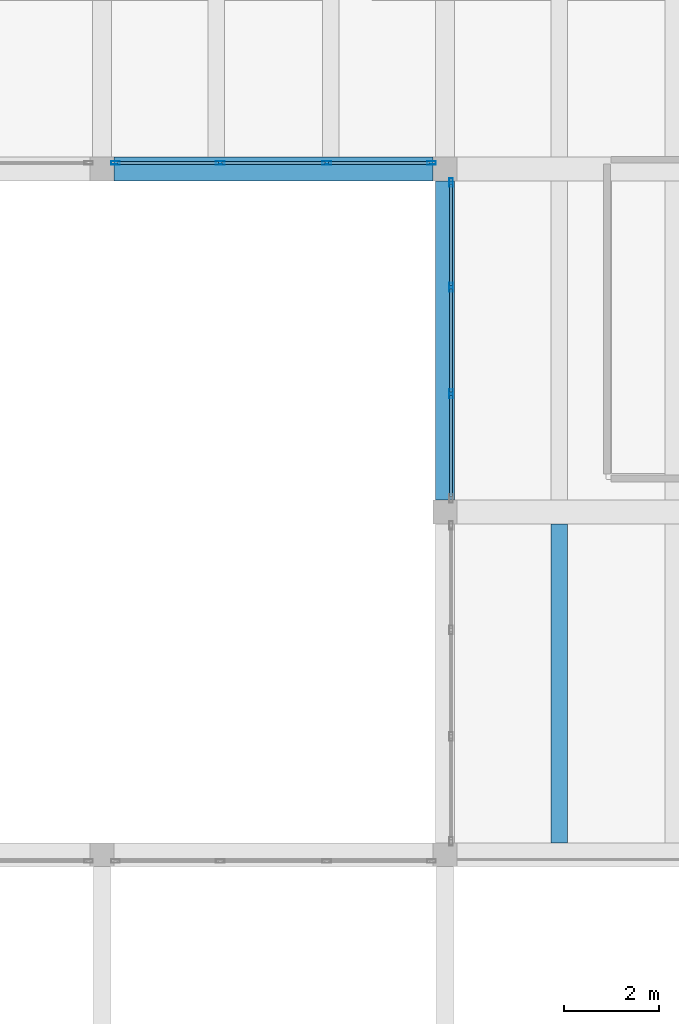
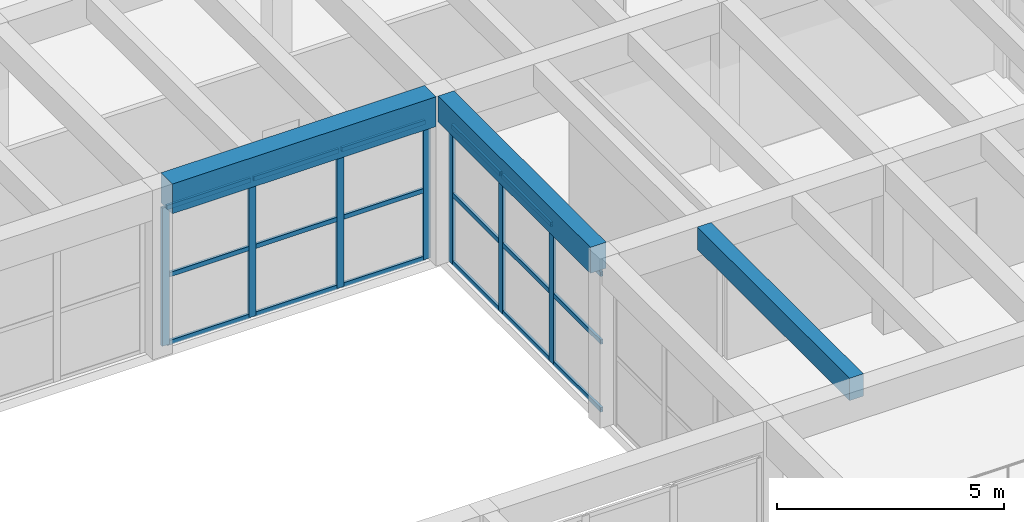
# One storey, part 42 of 153: 25 members, 3 beams, 2 elements without a shape of their own.
"""IFC4 building model written with IfcOpenShell, lengths in metres."""

from ifc_helpers import new_model, si_unit, direction, frame, origin, origin_2d, place, context, subcontext, project, spatial, rectangle, hollow_rectangle, extrude, material, material_profile, profile_set, type_object, element, aggregate, save


model = new_model("IFC4")

# Units and contexts
model_context = context("Model", 3, precision=1e-05, world=origin(), true_north=direction((0.0, 1.0)))
body_context = subcontext(model_context, "Body", "Model", "MODEL_VIEW")
ifc_project = project(units=[si_unit("LENGTHUNIT", "METRE"), si_unit("AREAUNIT", "SQUARE_METRE"), si_unit("VOLUMEUNIT", "CUBIC_METRE"), si_unit("PLANEANGLEUNIT", "RADIAN"), si_unit("MASSUNIT", "GRAM", prefix="KILO")], contexts=[model_context])

# Site, building, storey
site_placement = place(None, origin())
site = spatial("IfcSite", under=ifc_project, at=site_placement, CompositionType="ELEMENT")
building_placement = place(site_placement, origin())
building = spatial("IfcBuilding", under=site, at=building_placement, Name="Bramvelor Terrace Health Centre", CompositionType="ELEMENT")
storey_placement = place(building_placement, frame((0.0, 0.0, 4.800048828125)))
storey = spatial("IfcBuildingStorey", under=building, at=storey_placement, Name="L02", CompositionType="ELEMENT", Elevation=4.800048828125)

# Beams
ifc_material_1 = material(Name="Concrete C40/50", Category="concrete")
ifc_material_profile_1 = material_profile(ifc_material_1, rectangle(XDim=0.39990234375, YDim=0.699951171875, at=origin_2d()), Name="RC 400x700")
ifc_profile_set_1 = profile_set([ifc_material_profile_1], Name="Concrete C40/50")
beam_type_1 = type_object("IfcBeamType", Name="BM-RC-G700", PredefinedType="BEAM", material=ifc_profile_set_1)
beam_1_placement = place(storey_placement, frame((79.199951171875, 57.85009765625, 4.199951171875), z_axis=(0.0, 1.0, 0.0), x_axis=(-1.0, 0.0, 0.0)))
element("IfcBeam", 1, at=beam_1_placement, inside=storey, type_object=beam_type_1, Name="L02 Floor Girder", PredefinedType="BEAM", context=body_context, shape_type="SweptSolid", body=[
    extrude(rectangle(XDim=0.39990234375, YDim=0.699951171875, at=origin_2d()), origin(), (0.0, 0.0, 1.0), 6.699951171875),
])
ifc_material_2 = material(Name="Concrete C40/50", Category="concrete")
ifc_material_profile_2 = material_profile(ifc_material_2, rectangle(XDim=0.5, YDim=0.800048828125, at=origin_2d()), Name="RC 500x800")
ifc_profile_set_2 = profile_set([ifc_material_profile_2], Name="Concrete C40/50")
beam_type_2 = type_object("IfcBeamType", Name="BM-RC-G800", PredefinedType="BEAM", material=ifc_profile_set_2)
beam_2_placement = place(storey_placement, frame((72.25, 64.800048828125, 4.14990234375), z_axis=(1.0, 0.0, 0.0), x_axis=(0.0, 1.0, 0.0)))
element("IfcBeam", 2, at=beam_2_placement, inside=storey, type_object=beam_type_2, Name="L02 Floor Girder", PredefinedType="BEAM", context=body_context, shape_type="SweptSolid", body=[
    extrude(rectangle(XDim=0.5, YDim=0.800048828125, at=origin_2d()), origin(), (0.0, 0.0, 1.0), 6.699951171875),
])
ifc_material_3 = material(Name="Concrete C40/50", Category="concrete")
ifc_material_profile_3 = material_profile(ifc_material_3, rectangle(XDim=0.35009765625, YDim=0.60009765625, at=origin_2d()), Name="RC 350x600")
ifc_profile_set_3 = profile_set([ifc_material_profile_3], Name="Concrete C40/50")
beam_type_3 = type_object("IfcBeamType", Name="BM-RC-J600", PredefinedType="JOIST", material=ifc_profile_set_3)
beam_3_placement = place(storey_placement, frame((81.60009765625, 50.64990234375, 4.25), z_axis=(0.0, 1.0, 0.0), x_axis=(-1.0, 0.0, 0.0)))
element("IfcBeam", 3, at=beam_3_placement, inside=storey, type_object=beam_type_3, Name="L02 Secondary Floor Joist", PredefinedType="JOIST", context=body_context, shape_type="SweptSolid", body=[
    extrude(rectangle(XDim=0.35009765625, YDim=0.60009765625, at=origin_2d()), origin(), (0.0, 0.0, 1.0), 6.7001953125),
])

# Curtain wall, members
ifc_material_4 = material(Name="Anodized aluminium and double low-E glass", Category="aluminium")
curtain_wall_type = type_object("IfcCurtainWallType", Name="CW-SYS-17", PredefinedType="NOTDEFINED", material=ifc_material_4)
curtain_wall_1_placement = place(storey_placement, origin())
curtain_wall_1 = element("IfcCurtainWall", 4, at=curtain_wall_1_placement, inside=storey, type_object=curtain_wall_type, Name="L02 Unitized Curtain Wall 139", PredefinedType="NOTDEFINED")
ifc_material_5 = material(Name="Anodized aluminium 6063-T6", Category="aluminium")
ifc_material_profile_4 = material_profile(ifc_material_5, hollow_rectangle(XDim=0.074951171875, YDim=0.179931640625, WallThickness=0.00341796875, at=origin_2d()), Name="ALU-MUL 75x180x3.5")
ifc_profile_set_4 = profile_set([ifc_material_profile_4], Name="Anodized aluminium 6063-T6")
member_type_1 = type_object("IfcMemberType", Name="CW-MUL-65x180", PredefinedType="MULLION", material=ifc_profile_set_4)
member_1_placement = place(storey_placement, frame((79.330078125, 60.081787109375, 0.0), z_axis=(0.0, 0.0, 1.0), x_axis=(-1.0, 0.0, 0.0)))
member_1 = element("IfcMember", 5, at=member_1_placement, type_object=member_type_1, Name="CW-17 mullion 2", PredefinedType="MULLION", context=body_context, shape_type="SweptSolid", body=[
    extrude(hollow_rectangle(XDim=0.074951171875, YDim=0.179931640625, WallThickness=0.00341796875, at=origin_2d()), origin(), (0.0, 0.0, 1.0), 3.7099609375),
])
member_2_placement = place(storey_placement, frame((79.330078125, 62.318359375, 0.0), z_axis=(0.0, 0.0, 1.0), x_axis=(-1.0, 0.0, 0.0)))
member_2 = element("IfcMember", 6, at=member_2_placement, type_object=member_type_1, Name="CW-17 mullion 3", PredefinedType="MULLION", context=body_context, shape_type="SweptSolid", body=[
    extrude(hollow_rectangle(XDim=0.074951171875, YDim=0.179931640625, WallThickness=0.00341796875, at=origin_2d()), origin(), (0.0, 0.0, 1.0), 3.7099609375),
])
member_3_placement = place(storey_placement, frame((79.330078125, 64.517578125, 0.0), z_axis=(0.0, 0.0, 1.0), x_axis=(-1.0, 0.0, 0.0)))
member_3 = element("IfcMember", 7, at=member_3_placement, type_object=member_type_1, Name="CW-17 mullion 4", PredefinedType="MULLION", context=body_context, shape_type="SweptSolid", body=[
    extrude(hollow_rectangle(XDim=0.074951171875, YDim=0.179931640625, WallThickness=0.00341796875, at=origin_2d()), origin(), (0.0, 0.0, 1.0), 3.7099609375),
])

curtain_wall_2_placement = place(storey_placement, origin())
curtain_wall_2 = element("IfcCurtainWall", 8, at=curtain_wall_2_placement, inside=storey, type_object=curtain_wall_type, Name="L02 Unitized Curtain Wall 140", PredefinedType="NOTDEFINED")
member_4_placement = place(storey_placement, frame((78.91748046875, 64.929931640625, 0.0), z_axis=(0.0, 0.0, 1.0), x_axis=(0.0, -1.0, 0.0)))
member_4 = element("IfcMember", 9, at=member_4_placement, type_object=member_type_1, Name="CW-17 mullion 1", PredefinedType="MULLION", context=body_context, shape_type="SweptSolid", body=[
    extrude(hollow_rectangle(XDim=0.074951171875, YDim=0.179931640625, WallThickness=0.00341796875, at=origin_2d()), origin(), (0.0, 0.0, 1.0), 3.7099609375),
])
member_5_placement = place(storey_placement, frame((76.71826171875, 64.929931640625, 0.0), z_axis=(0.0, 0.0, 1.0), x_axis=(0.0, -1.0, 0.0)))
member_5 = element("IfcMember", 10, at=member_5_placement, type_object=member_type_1, Name="CW-17 mullion 2", PredefinedType="MULLION", context=body_context, shape_type="SweptSolid", body=[
    extrude(hollow_rectangle(XDim=0.074951171875, YDim=0.179931640625, WallThickness=0.00341796875, at=origin_2d()), origin(), (0.0, 0.0, 1.0), 3.7099609375),
])
member_6_placement = place(storey_placement, frame((74.481689453125, 64.929931640625, 0.0), z_axis=(0.0, 0.0, 1.0), x_axis=(0.0, -1.0, 0.0)))
member_6 = element("IfcMember", 11, at=member_6_placement, type_object=member_type_1, Name="CW-17 mullion 3", PredefinedType="MULLION", context=body_context, shape_type="SweptSolid", body=[
    extrude(hollow_rectangle(XDim=0.074951171875, YDim=0.179931640625, WallThickness=0.00341796875, at=origin_2d()), origin(), (0.0, 0.0, 1.0), 3.7099609375),
])
member_7_placement = place(storey_placement, frame((72.282470703125, 64.929931640625, 0.0), z_axis=(0.0, 0.0, 1.0), x_axis=(0.0, -1.0, 0.0)))
member_7 = element("IfcMember", 12, at=member_7_placement, type_object=member_type_1, Name="CW-17 mullion 4", PredefinedType="MULLION", context=body_context, shape_type="SweptSolid", body=[
    extrude(hollow_rectangle(XDim=0.074951171875, YDim=0.179931640625, WallThickness=0.00341796875, at=origin_2d()), origin(), (0.0, 0.0, 1.0), 3.7099609375),
])

# Member
ifc_material_6 = material(Name="Anodized aluminium 6063-T6", Category="aluminium")
ifc_material_profile_5 = material_profile(ifc_material_6, hollow_rectangle(XDim=0.06494140625, YDim=0.1201171875, WallThickness=0.0029296875, at=origin_2d()), Name="ALU-TRN 65x120x3.0")
ifc_profile_set_5 = profile_set([ifc_material_profile_5], Name="Anodized aluminium 6063-T6")
member_type_2 = type_object("IfcMemberType", Name="CW-TRN-65x150", PredefinedType="USERDEFINED", material=ifc_profile_set_5)
member_8_placement = place(storey_placement, frame((79.330078125, 57.919921875, 0.032470703125), z_axis=(0.0, 1.0, 0.0), x_axis=(-1.0, 0.0, 0.0)))
member_8 = element("IfcMember", 13, at=member_8_placement, type_object=member_type_2, Name="CW-17 transom 1.1", ObjectType="TRANSOM", PredefinedType="USERDEFINED", context=body_context, shape_type="SweptSolid", body=[
    extrude(hollow_rectangle(XDim=0.06494140625, YDim=0.1201171875, WallThickness=0.0029296875, at=origin_2d()), origin(), (0.0, 0.0, 1.0), 2.124267578125),
])

member_9_placement = place(storey_placement, frame((79.330078125, 57.919921875, 1.85498046875), z_axis=(0.0, 1.0, 0.0), x_axis=(-1.0, 0.0, 0.0)))
member_9 = element("IfcMember", 14, at=member_9_placement, type_object=member_type_2, Name="CW-17 transom 1.2", ObjectType="TRANSOM", PredefinedType="USERDEFINED", context=body_context, shape_type="SweptSolid", body=[
    extrude(hollow_rectangle(XDim=0.06494140625, YDim=0.1201171875, WallThickness=0.0029296875, at=origin_2d()), origin(), (0.0, 0.0, 1.0), 2.124267578125),
])

member_10_placement = place(storey_placement, frame((79.330078125, 57.919921875, 3.677490234375), z_axis=(0.0, 1.0, 0.0), x_axis=(-1.0, 0.0, 0.0)))
member_10 = element("IfcMember", 15, at=member_10_placement, type_object=member_type_2, Name="CW-17 transom 1.3", ObjectType="TRANSOM", PredefinedType="USERDEFINED", context=body_context, shape_type="SweptSolid", body=[
    extrude(hollow_rectangle(XDim=0.06494140625, YDim=0.1201171875, WallThickness=0.0029296875, at=origin_2d()), origin(), (0.0, 0.0, 1.0), 2.124267578125),
])

member_11_placement = place(storey_placement, frame((79.330078125, 60.119140625, 0.032470703125), z_axis=(0.0, 1.0, 0.0), x_axis=(-1.0, 0.0, 0.0)))
member_11 = element("IfcMember", 16, at=member_11_placement, type_object=member_type_2, Name="CW-17 transom 2.1", ObjectType="TRANSOM", PredefinedType="USERDEFINED", context=body_context, shape_type="SweptSolid", body=[
    extrude(hollow_rectangle(XDim=0.06494140625, YDim=0.1201171875, WallThickness=0.0029296875, at=origin_2d()), origin(), (0.0, 0.0, 1.0), 2.16162109375),
])

member_12_placement = place(storey_placement, frame((79.330078125, 60.119140625, 1.85498046875), z_axis=(0.0, 1.0, 0.0), x_axis=(-1.0, 0.0, 0.0)))
member_12 = element("IfcMember", 17, at=member_12_placement, type_object=member_type_2, Name="CW-17 transom 2.2", ObjectType="TRANSOM", PredefinedType="USERDEFINED", context=body_context, shape_type="SweptSolid", body=[
    extrude(hollow_rectangle(XDim=0.06494140625, YDim=0.1201171875, WallThickness=0.0029296875, at=origin_2d()), origin(), (0.0, 0.0, 1.0), 2.16162109375),
])

member_13_placement = place(storey_placement, frame((79.330078125, 60.119140625, 3.677490234375), z_axis=(0.0, 1.0, 0.0), x_axis=(-1.0, 0.0, 0.0)))
member_13 = element("IfcMember", 18, at=member_13_placement, type_object=member_type_2, Name="CW-17 transom 2.3", ObjectType="TRANSOM", PredefinedType="USERDEFINED", context=body_context, shape_type="SweptSolid", body=[
    extrude(hollow_rectangle(XDim=0.06494140625, YDim=0.1201171875, WallThickness=0.0029296875, at=origin_2d()), origin(), (0.0, 0.0, 1.0), 2.16162109375),
])

member_14_placement = place(storey_placement, frame((79.330078125, 62.355712890625, 0.032470703125), z_axis=(0.0, 1.0, 0.0), x_axis=(-1.0, 0.0, 0.0)))
member_14 = element("IfcMember", 19, at=member_14_placement, type_object=member_type_2, Name="CW-17 transom 3.1", ObjectType="TRANSOM", PredefinedType="USERDEFINED", context=body_context, shape_type="SweptSolid", body=[
    extrude(hollow_rectangle(XDim=0.06494140625, YDim=0.1201171875, WallThickness=0.0029296875, at=origin_2d()), origin(), (0.0, 0.0, 1.0), 2.124267578125),
])

member_15_placement = place(storey_placement, frame((79.330078125, 62.355712890625, 1.85498046875), z_axis=(0.0, 1.0, 0.0), x_axis=(-1.0, 0.0, 0.0)))
member_15 = element("IfcMember", 20, at=member_15_placement, type_object=member_type_2, Name="CW-17 transom 3.2", ObjectType="TRANSOM", PredefinedType="USERDEFINED", context=body_context, shape_type="SweptSolid", body=[
    extrude(hollow_rectangle(XDim=0.06494140625, YDim=0.1201171875, WallThickness=0.0029296875, at=origin_2d()), origin(), (0.0, 0.0, 1.0), 2.124267578125),
])

member_16_placement = place(storey_placement, frame((79.330078125, 62.355712890625, 3.677490234375), z_axis=(0.0, 1.0, 0.0), x_axis=(-1.0, 0.0, 0.0)))
member_16 = element("IfcMember", 21, at=member_16_placement, type_object=member_type_2, Name="CW-17 transom 3.3", ObjectType="TRANSOM", PredefinedType="USERDEFINED", context=body_context, shape_type="SweptSolid", body=[
    extrude(hollow_rectangle(XDim=0.06494140625, YDim=0.1201171875, WallThickness=0.0029296875, at=origin_2d()), origin(), (0.0, 0.0, 1.0), 2.124267578125),
])

aggregate(curtain_wall_1, [member_1, member_2, member_3, member_8, member_9, member_10, member_11, member_12, member_13, member_14, member_15, member_16])

member_17_placement = place(storey_placement, frame((78.8798828125, 64.929931640625, 0.032470703125), z_axis=(-1.0, 0.0, 0.0), x_axis=(0.0, -1.0, 0.0)))
member_17 = element("IfcMember", 22, at=member_17_placement, type_object=member_type_2, Name="CW-17 transom 1.1", ObjectType="TRANSOM", PredefinedType="USERDEFINED", context=body_context, shape_type="SweptSolid", body=[
    extrude(hollow_rectangle(XDim=0.06494140625, YDim=0.1201171875, WallThickness=0.0029296875, at=origin_2d()), origin(), (0.0, 0.0, 1.0), 2.1240234375),
])

member_18_placement = place(storey_placement, frame((78.8798828125, 64.929931640625, 1.85498046875), z_axis=(-1.0, 0.0, 0.0), x_axis=(0.0, -1.0, 0.0)))
member_18 = element("IfcMember", 23, at=member_18_placement, type_object=member_type_2, Name="CW-17 transom 1.2", ObjectType="TRANSOM", PredefinedType="USERDEFINED", context=body_context, shape_type="SweptSolid", body=[
    extrude(hollow_rectangle(XDim=0.06494140625, YDim=0.1201171875, WallThickness=0.0029296875, at=origin_2d()), origin(), (0.0, 0.0, 1.0), 2.1240234375),
])

member_19_placement = place(storey_placement, frame((78.8798828125, 64.929931640625, 3.677490234375), z_axis=(-1.0, 0.0, 0.0), x_axis=(0.0, -1.0, 0.0)))
member_19 = element("IfcMember", 24, at=member_19_placement, type_object=member_type_2, Name="CW-17 transom 1.3", ObjectType="TRANSOM", PredefinedType="USERDEFINED", context=body_context, shape_type="SweptSolid", body=[
    extrude(hollow_rectangle(XDim=0.06494140625, YDim=0.1201171875, WallThickness=0.0029296875, at=origin_2d()), origin(), (0.0, 0.0, 1.0), 2.1240234375),
])

member_20_placement = place(storey_placement, frame((76.680908203125, 64.929931640625, 0.032470703125), z_axis=(-1.0, 0.0, 0.0), x_axis=(0.0, -1.0, 0.0)))
member_20 = element("IfcMember", 25, at=member_20_placement, type_object=member_type_2, Name="CW-17 transom 2.1", ObjectType="TRANSOM", PredefinedType="USERDEFINED", context=body_context, shape_type="SweptSolid", body=[
    extrude(hollow_rectangle(XDim=0.06494140625, YDim=0.1201171875, WallThickness=0.0029296875, at=origin_2d()), origin(), (0.0, 0.0, 1.0), 2.16162109375),
])

member_21_placement = place(storey_placement, frame((76.680908203125, 64.929931640625, 1.85498046875), z_axis=(-1.0, 0.0, 0.0), x_axis=(0.0, -1.0, 0.0)))
member_21 = element("IfcMember", 26, at=member_21_placement, type_object=member_type_2, Name="CW-17 transom 2.2", ObjectType="TRANSOM", PredefinedType="USERDEFINED", context=body_context, shape_type="SweptSolid", body=[
    extrude(hollow_rectangle(XDim=0.06494140625, YDim=0.1201171875, WallThickness=0.0029296875, at=origin_2d()), origin(), (0.0, 0.0, 1.0), 2.16162109375),
])

member_22_placement = place(storey_placement, frame((76.680908203125, 64.929931640625, 3.677490234375), z_axis=(-1.0, 0.0, 0.0), x_axis=(0.0, -1.0, 0.0)))
member_22 = element("IfcMember", 27, at=member_22_placement, type_object=member_type_2, Name="CW-17 transom 2.3", ObjectType="TRANSOM", PredefinedType="USERDEFINED", context=body_context, shape_type="SweptSolid", body=[
    extrude(hollow_rectangle(XDim=0.06494140625, YDim=0.1201171875, WallThickness=0.0029296875, at=origin_2d()), origin(), (0.0, 0.0, 1.0), 2.16162109375),
])

member_23_placement = place(storey_placement, frame((74.444091796875, 64.929931640625, 0.032470703125), z_axis=(-1.0, 0.0, 0.0), x_axis=(0.0, -1.0, 0.0)))
member_23 = element("IfcMember", 28, at=member_23_placement, type_object=member_type_2, Name="CW-17 transom 3.1", ObjectType="TRANSOM", PredefinedType="USERDEFINED", context=body_context, shape_type="SweptSolid", body=[
    extrude(hollow_rectangle(XDim=0.06494140625, YDim=0.1201171875, WallThickness=0.0029296875, at=origin_2d()), origin(), (0.0, 0.0, 1.0), 2.1240234375),
])

member_24_placement = place(storey_placement, frame((74.444091796875, 64.929931640625, 1.85498046875), z_axis=(-1.0, 0.0, 0.0), x_axis=(0.0, -1.0, 0.0)))
member_24 = element("IfcMember", 29, at=member_24_placement, type_object=member_type_2, Name="CW-17 transom 3.2", ObjectType="TRANSOM", PredefinedType="USERDEFINED", context=body_context, shape_type="SweptSolid", body=[
    extrude(hollow_rectangle(XDim=0.06494140625, YDim=0.1201171875, WallThickness=0.0029296875, at=origin_2d()), origin(), (0.0, 0.0, 1.0), 2.1240234375),
])

member_25_placement = place(storey_placement, frame((74.444091796875, 64.929931640625, 3.677490234375), z_axis=(-1.0, 0.0, 0.0), x_axis=(0.0, -1.0, 0.0)))
member_25 = element("IfcMember", 30, at=member_25_placement, type_object=member_type_2, Name="CW-17 transom 3.3", ObjectType="TRANSOM", PredefinedType="USERDEFINED", context=body_context, shape_type="SweptSolid", body=[
    extrude(hollow_rectangle(XDim=0.06494140625, YDim=0.1201171875, WallThickness=0.0029296875, at=origin_2d()), origin(), (0.0, 0.0, 1.0), 2.1240234375),
])

aggregate(curtain_wall_2, [member_4, member_5, member_6, member_7, member_17, member_18, member_19, member_20, member_21, member_22, member_23, member_24, member_25])

save(model, "model.ifc")
